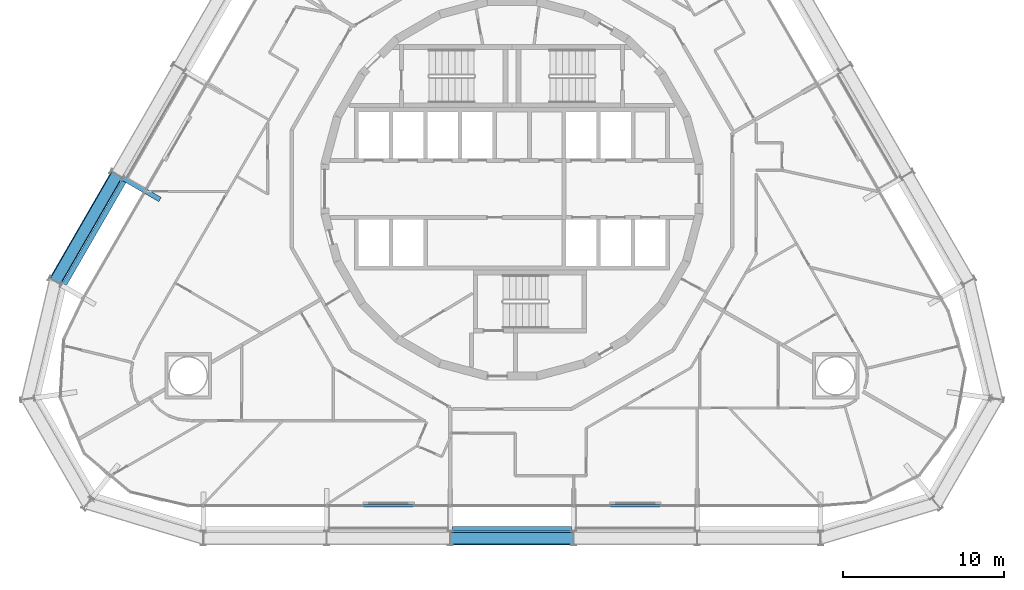
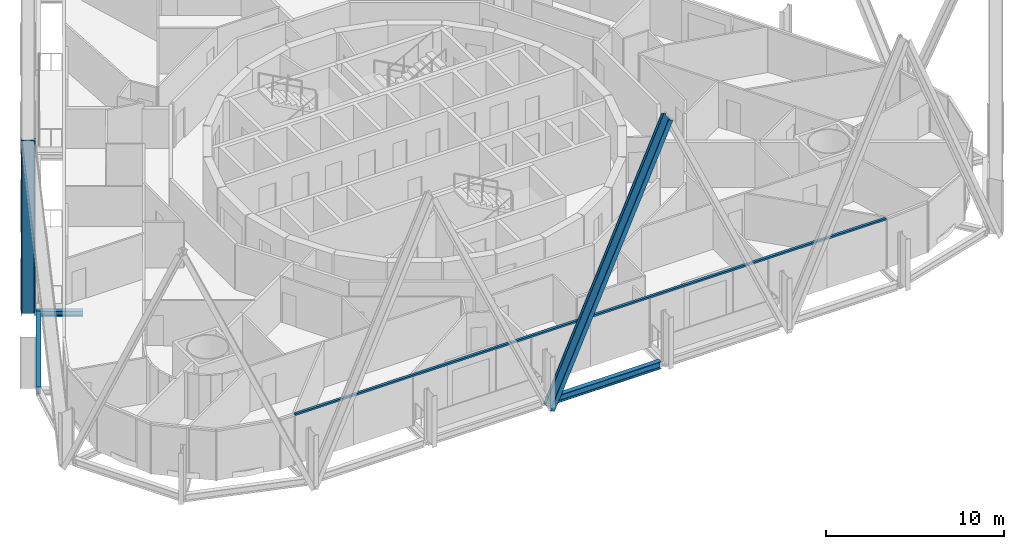
# One storey, part 4 of 22: 3 beams, 3 members, 1 element without a shape of its own.
"""IFC4 building model written with IfcOpenShell, lengths in metres."""

from ifc_helpers import new_model, si_unit, direction, frame, origin, origin_2d, place, context, subcontext, project, spatial, rectangle, i_section, extrude, material, layer, layer_set, material_profile, profile_set, type_object, element, aggregate, save


model = new_model("IFC4")

# Units and contexts
model_context = context("Model", 3, precision=1e-05, world=origin(), true_north=direction((0.0, 1.0)))
body_context = subcontext(model_context, "Body", "Model", "MODEL_VIEW")
ifc_project = project(units=[si_unit("LENGTHUNIT", "METRE"), si_unit("AREAUNIT", "SQUARE_METRE"), si_unit("VOLUMEUNIT", "CUBIC_METRE"), si_unit("PLANEANGLEUNIT", "RADIAN"), si_unit("MASSUNIT", "GRAM", prefix="KILO")], contexts=[model_context])

# Site, building, storey
site_placement = place(None, origin())
site = spatial("IfcSite", under=ifc_project, at=site_placement, CompositionType="ELEMENT")
building_placement = place(site_placement, origin())
building = spatial("IfcBuilding", under=site, at=building_placement, Name="Spindle Arch Residences", CompositionType="ELEMENT")
storey_placement = place(building_placement, frame((0.0, 0.0, 52.39990234375)))
storey = spatial("IfcBuildingStorey", under=building, at=storey_placement, Name="L11", CompositionType="ELEMENT", Elevation=52.39990234375)

# Curtain wall, member
ifc_material_1 = material(Name="Aluminium bronze unitised frame with tinted glass", Category="aluminium")
ifc_layer = layer(ifc_material_1, 0.159912109375)
ifc_layer_set = layer_set([ifc_layer], Name="CW-C typical residential unitised wall")
curtain_wall_type = type_object("IfcCurtainWallType", Name="CW-C typical residential unitised wall", PredefinedType="NOTDEFINED", material=ifc_layer_set)
curtain_wall_placement = place(storey_placement, origin())
curtain_wall = element("IfcCurtainWall", 1, at=curtain_wall_placement, inside=storey, type_object=curtain_wall_type, Name="CW-C L11 run 6", PredefinedType="NOTDEFINED")
ifc_material_2 = material(Name="Aluminium bronze anodised transom", Category="aluminium")
ifc_material_profile_1 = material_profile(ifc_material_2, rectangle(XDim=0.159912109375, YDim=0.1201171875, at=origin_2d()), Name="TR 120x160")
ifc_profile_set_1 = profile_set([ifc_material_profile_1], Name="Aluminium bronze anodised transom")
member_type_1 = type_object("IfcMemberType", Name="Bronze transom 120x160", PredefinedType="USERDEFINED", material=ifc_profile_set_1)
member_placement = place(storey_placement, frame((-19.170166015625, -19.7099609375, 3.06005859375), z_axis=(1.0, 0.0, 0.0), x_axis=(0.0, 1.0, 0.0)))
member = element("IfcMember", 2, at=member_placement, type_object=member_type_1, Name="CW-C transom 00", ObjectType="TRANSOM", PredefinedType="USERDEFINED", context=body_context, shape_type="SweptSolid", body=[
    extrude(rectangle(XDim=0.159912109375, YDim=0.1201171875, at=origin_2d()), origin(), (0.0, 0.0, 1.0), 38.34033203125),
])
aggregate(curtain_wall, [member])

# Members
ifc_material_3 = material(Name="Steel S460ML, intumescent coating R 240", Category="steel")
ifc_material_profile_2 = material_profile(ifc_material_3, i_section(OverallWidth=0.302978515625, OverallDepth=0.81396484375, WebThickness=0.02099609375, FlangeThickness=0.0400390625, FilletRadius=0.030029296875, at=origin_2d()), Name="HEM 800")
ifc_profile_set_2 = profile_set([ifc_material_profile_2], Name="Steel S460ML, intumescent coating R 240")
member_type_2 = type_object("IfcMemberType", Name="Diagrid diagonal HEM 800", PredefinedType="BRACE", material=ifc_profile_set_2)
for number, where, z_axis, x_axis, name in (
    (3, (-24.57861328125, 0.88818359375, -0.6298828125), (-0.203142721803, -0.351847998607, 0.913748335405), (0.456879540285, 0.79132616924, 0.406280665975), "Diagrid diagonal 1.2.18"),
    (4, (-3.840087890625, -21.72998046875, -0.6298828125), (0.40628465498, 0.0, 0.91374656176), (-0.91374656176, 0.0, 0.40628465498), "Diagrid diagonal 1.2.24"),
):
    element("IfcMember", number, at=place(storey_placement, frame(where, z_axis=z_axis, x_axis=x_axis)), inside=storey, type_object=member_type_2, Name=name, PredefinedType="BRACE", context=body_context, shape_type="SweptSolid", body=[
        extrude(i_section(OverallWidth=0.302978515625, OverallDepth=0.81396484375, WebThickness=0.02099609375, FlangeThickness=0.0400390625, FilletRadius=0.030029296875, at=origin_2d()), origin(), (0.0, 0.0, 1.0), 18.9033203125),
    ])

# Beams
ifc_material_4 = material(Name="Steel S460ML, intumescent coating R 120", Category="steel")
ifc_material_profile_3 = material_profile(ifc_material_4, i_section(OverallWidth=0.300048828125, OverallDepth=0.5, WebThickness=0.014404296875, FlangeThickness=0.028076171875, FilletRadius=0.027099609375, at=origin_2d()), Name="HEB 500")
ifc_profile_set_3 = profile_set([ifc_material_profile_3], Name="Steel S460ML, intumescent coating R 120")
beam_type_1 = type_object("IfcBeamType", Name="Exoskeleton edge beam HEB 500", PredefinedType="BEAM", material=ifc_profile_set_3)
beam_1_placement = place(storey_placement, frame((-24.13525390625, 0.482177734375, -0.6298828125), z_axis=(-0.49998923004, -0.866031621735, 0.0), x_axis=(0.866031621735, -0.49998923004, 0.0)))
element("IfcBeam", 5, at=beam_1_placement, inside=storey, type_object=beam_type_1, Name="Exoskeleton edge beam 18", PredefinedType="BEAM", context=body_context, shape_type="SweptSolid", body=[
    extrude(i_section(OverallWidth=0.300048828125, OverallDepth=0.5, WebThickness=0.014404296875, FlangeThickness=0.028076171875, FilletRadius=0.027099609375, at=origin_2d()), origin(), (0.0, 0.0, 1.0), 7.420166015625),
])
beam_2_placement = place(storey_placement, frame((-3.7099609375, -21.142822265625, -0.6298828125), z_axis=(1.0, 0.0, 0.0), x_axis=(0.0, 1.0, 0.0)))
element("IfcBeam", 6, at=beam_2_placement, inside=storey, type_object=beam_type_1, Name="Exoskeleton edge beam 24", PredefinedType="BEAM", context=body_context, shape_type="SweptSolid", body=[
    extrude(i_section(OverallWidth=0.300048828125, OverallDepth=0.5, WebThickness=0.014404296875, FlangeThickness=0.028076171875, FilletRadius=0.027099609375, at=origin_2d()), origin(), (0.0, 0.0, 1.0), 7.419921875),
])
ifc_material_5 = material(Name="Steel S460ML, intumescent coating R 120", Category="steel")
ifc_material_profile_4 = material_profile(ifc_material_5, i_section(OverallWidth=0.300048828125, OverallDepth=0.389892578125, WebThickness=0.010986328125, FlangeThickness=0.01904296875, FilletRadius=0.027099609375, at=origin_2d()), Name="HEA 400")
ifc_profile_set_4 = profile_set([ifc_material_profile_4], Name="Steel S460ML, intumescent coating R 120")
beam_type_2 = type_object("IfcBeamType", Name="Floor outrigger HEA 400", PredefinedType="BEAM", material=ifc_profile_set_4)
beam_3_placement = place(storey_placement, frame((-24.18896484375, 0.6630859375, -0.574951171875), z_axis=(0.866029095148, -0.499993606316, 0.0), x_axis=(0.499993606316, 0.866029095148, 0.0)))
element("IfcBeam", 7, at=beam_3_placement, inside=storey, type_object=beam_type_2, Name="Floor outrigger 18", PredefinedType="BEAM", context=body_context, shape_type="SweptSolid", body=[
    extrude(i_section(OverallWidth=0.300048828125, OverallDepth=0.389892578125, WebThickness=0.010986328125, FlangeThickness=0.01904296875, FilletRadius=0.027099609375, at=origin_2d()), origin(), (0.0, 0.0, 1.0), 2.64990234375),
])

save(model, "model.ifc")
